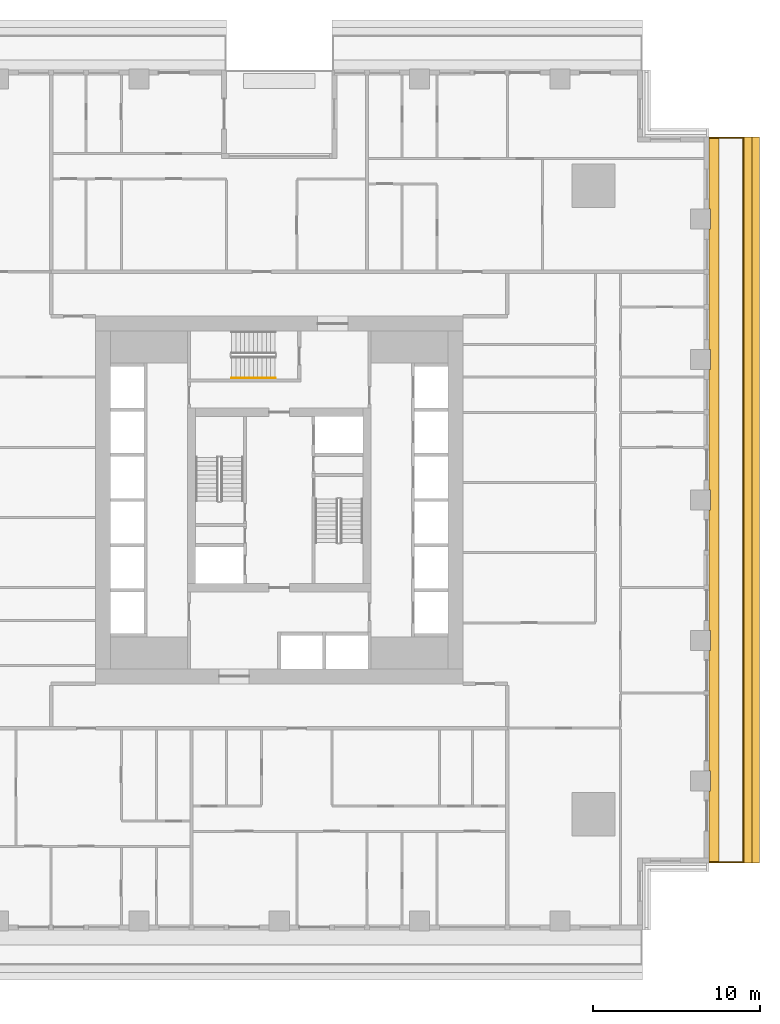
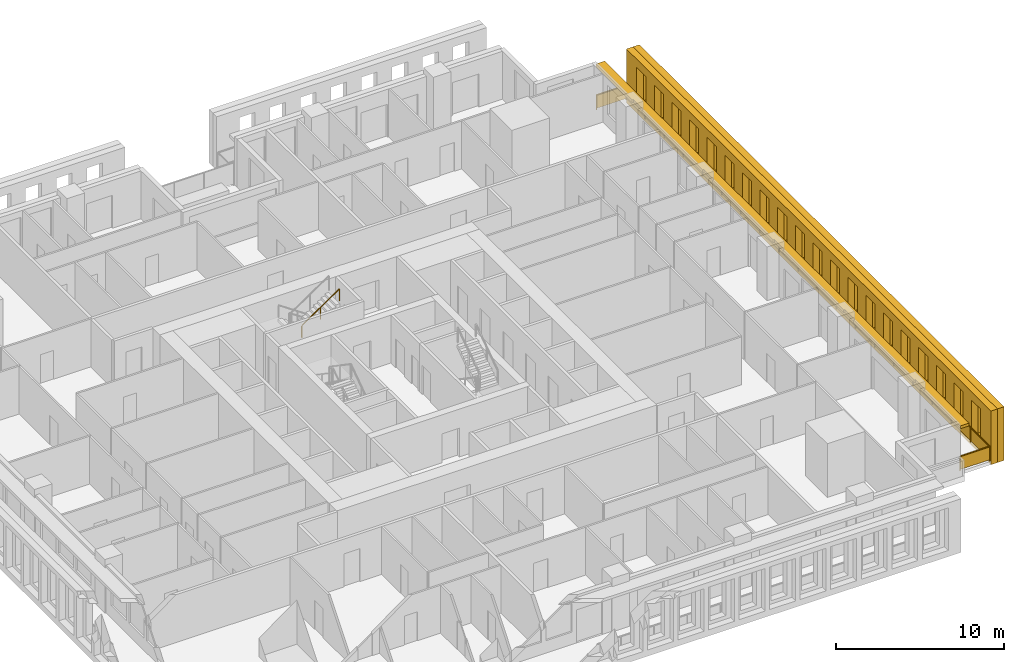
# One storey, part 14 of 16: 3 shading devices, 2 railings.
"""IFC4 building model written with IfcOpenShell, lengths in metres."""

from ifc_helpers import new_model, si_unit, direction, frame, origin, origin_2d, place, context, subcontext, project, spatial, polyline, rectangle, outline, extrude, material, layer, layer_set, type_object, element, save


model = new_model("IFC4")

# Units and contexts
model_context = context("Model", 3, precision=1e-05, world=origin(), true_north=direction((0.0, 1.0)))
body_context = subcontext(model_context, "Body", "Model", "MODEL_VIEW")
ifc_project = project(units=[si_unit("LENGTHUNIT", "METRE"), si_unit("AREAUNIT", "SQUARE_METRE"), si_unit("VOLUMEUNIT", "CUBIC_METRE"), si_unit("PLANEANGLEUNIT", "RADIAN"), si_unit("MASSUNIT", "GRAM", prefix="KILO")], contexts=[model_context])

# Site, building, storey
site_placement = place(None, origin())
site = spatial("IfcSite", under=ifc_project, at=site_placement, CompositionType="ELEMENT")
building_placement = place(site_placement, origin())
building = spatial("IfcBuilding", under=site, at=building_placement, Name="Khepri Terraces", CompositionType="ELEMENT")
storey_placement = place(building_placement, frame((0.0, 0.0, 133.800048828125)))
storey = spatial("IfcBuildingStorey", under=building, at=storey_placement, Name="L31", CompositionType="ELEMENT", Elevation=133.800048828125)

# Railings
ifc_material_1 = material(Name="Stainless steel grade 316", Category="steel")
railing_type_1 = type_object("IfcRailingType", Name="GRD-BAL-1100", PredefinedType="GUARDRAIL", material=ifc_material_1)
railing_1_placement = place(storey_placement, frame((25.719970703125, -21.669921875, 0.0)))
element("IfcRailing", 1, at=railing_1_placement, inside=storey, type_object=railing_type_1, Name="Balcony guard L31 E", PredefinedType="GUARDRAIL", context=body_context, shape_type="SweptSolid", body=[
    extrude(rectangle(XDim=0.050048828125, YDim=0.06005859375, at=origin_2d()), frame((0.0, 0.0, 1.070068359375), z_axis=(1.0, 0.0, 0.0), x_axis=(0.0, 1.0, 0.0)), (0.0, 0.0, 1.0), 2.050048828125),
    extrude(rectangle(XDim=2.0, YDim=0.011962890625, at=origin_2d()), frame((1.02490234375, 0.0, 0.10009765625), z_axis=(0.0, 0.0, 1.0), x_axis=(1.0, 0.0, 0.0)), (0.0, 0.0, 1.0), 0.93994140625),
    extrude(rectangle(XDim=0.050048828125, YDim=0.06005859375, at=origin_2d()), frame((2.050048828125, 0.0, 1.070068359375), z_axis=(0.0, 1.0, 0.0), x_axis=(-1.0, 0.0, 0.0)), (0.0, 0.0, 1.0), 43.33984375),
    extrude(rectangle(XDim=2.23095703125, YDim=0.011962890625, at=origin_2d()), frame((2.050048828125, 1.140625, 0.10009765625), z_axis=(0.0, 0.0, 1.0), x_axis=(0.0, 1.0, 0.0)), (0.0, 0.0, 1.0), 0.93994140625),
    extrude(rectangle(XDim=2.23095703125, YDim=0.011962890625, at=origin_2d()), frame((2.050048828125, 3.421630859375, 0.10009765625), z_axis=(0.0, 0.0, 1.0), x_axis=(0.0, 1.0, 0.0)), (0.0, 0.0, 1.0), 0.93994140625),
    extrude(rectangle(XDim=2.23095703125, YDim=0.011962890625, at=origin_2d()), frame((2.050048828125, 5.70263671875, 0.10009765625), z_axis=(0.0, 0.0, 1.0), x_axis=(0.0, 1.0, 0.0)), (0.0, 0.0, 1.0), 0.93994140625),
    extrude(rectangle(XDim=2.23095703125, YDim=0.011962890625, at=origin_2d()), frame((2.050048828125, 7.983642578125, 0.10009765625), z_axis=(0.0, 0.0, 1.0), x_axis=(0.0, 1.0, 0.0)), (0.0, 0.0, 1.0), 0.93994140625),
    extrude(rectangle(XDim=2.23095703125, YDim=0.011962890625, at=origin_2d()), frame((2.050048828125, 10.2646484375, 0.10009765625), z_axis=(0.0, 0.0, 1.0), x_axis=(0.0, 1.0, 0.0)), (0.0, 0.0, 1.0), 0.93994140625),
    extrude(rectangle(XDim=2.23095703125, YDim=0.011962890625, at=origin_2d()), frame((2.050048828125, 12.545654296875, 0.10009765625), z_axis=(0.0, 0.0, 1.0), x_axis=(0.0, 1.0, 0.0)), (0.0, 0.0, 1.0), 0.93994140625),
    extrude(rectangle(XDim=2.23095703125, YDim=0.011962890625, at=origin_2d()), frame((2.050048828125, 14.826904296875, 0.10009765625), z_axis=(0.0, 0.0, 1.0), x_axis=(0.0, 1.0, 0.0)), (0.0, 0.0, 1.0), 0.93994140625),
    extrude(rectangle(XDim=2.23095703125, YDim=0.011962890625, at=origin_2d()), frame((2.050048828125, 17.10791015625, 0.10009765625), z_axis=(0.0, 0.0, 1.0), x_axis=(0.0, 1.0, 0.0)), (0.0, 0.0, 1.0), 0.93994140625),
    extrude(rectangle(XDim=2.23095703125, YDim=0.011962890625, at=origin_2d()), frame((2.050048828125, 19.388916015625, 0.10009765625), z_axis=(0.0, 0.0, 1.0), x_axis=(0.0, 1.0, 0.0)), (0.0, 0.0, 1.0), 0.93994140625),
    extrude(rectangle(XDim=2.23095703125, YDim=0.011962890625, at=origin_2d()), frame((2.050048828125, 21.669921875, 0.10009765625), z_axis=(0.0, 0.0, 1.0), x_axis=(0.0, 1.0, 0.0)), (0.0, 0.0, 1.0), 0.93994140625),
    extrude(rectangle(XDim=2.23095703125, YDim=0.011962890625, at=origin_2d()), frame((2.050048828125, 23.950927734375, 0.10009765625), z_axis=(0.0, 0.0, 1.0), x_axis=(0.0, 1.0, 0.0)), (0.0, 0.0, 1.0), 0.93994140625),
    extrude(rectangle(XDim=2.23095703125, YDim=0.011962890625, at=origin_2d()), frame((2.050048828125, 26.23193359375, 0.10009765625), z_axis=(0.0, 0.0, 1.0), x_axis=(0.0, 1.0, 0.0)), (0.0, 0.0, 1.0), 0.93994140625),
    extrude(rectangle(XDim=2.23095703125, YDim=0.011962890625, at=origin_2d()), frame((2.050048828125, 28.512939453125, 0.10009765625), z_axis=(0.0, 0.0, 1.0), x_axis=(0.0, 1.0, 0.0)), (0.0, 0.0, 1.0), 0.93994140625),
    extrude(rectangle(XDim=2.23095703125, YDim=0.011962890625, at=origin_2d()), frame((2.050048828125, 30.794189453125, 0.10009765625), z_axis=(0.0, 0.0, 1.0), x_axis=(0.0, 1.0, 0.0)), (0.0, 0.0, 1.0), 0.93994140625),
    extrude(rectangle(XDim=2.23095703125, YDim=0.011962890625, at=origin_2d()), frame((2.050048828125, 33.0751953125, 0.10009765625), z_axis=(0.0, 0.0, 1.0), x_axis=(0.0, 1.0, 0.0)), (0.0, 0.0, 1.0), 0.93994140625),
    extrude(rectangle(XDim=2.23095703125, YDim=0.011962890625, at=origin_2d()), frame((2.050048828125, 35.356201171875, 0.10009765625), z_axis=(0.0, 0.0, 1.0), x_axis=(0.0, 1.0, 0.0)), (0.0, 0.0, 1.0), 0.93994140625),
    extrude(rectangle(XDim=2.23095703125, YDim=0.011962890625, at=origin_2d()), frame((2.050048828125, 37.63720703125, 0.10009765625), z_axis=(0.0, 0.0, 1.0), x_axis=(0.0, 1.0, 0.0)), (0.0, 0.0, 1.0), 0.93994140625),
    extrude(rectangle(XDim=2.23095703125, YDim=0.011962890625, at=origin_2d()), frame((2.050048828125, 39.918212890625, 0.10009765625), z_axis=(0.0, 0.0, 1.0), x_axis=(0.0, 1.0, 0.0)), (0.0, 0.0, 1.0), 0.93994140625),
    extrude(rectangle(XDim=2.23095703125, YDim=0.011962890625, at=origin_2d()), frame((2.050048828125, 42.19921875, 0.10009765625), z_axis=(0.0, 0.0, 1.0), x_axis=(0.0, 1.0, 0.0)), (0.0, 0.0, 1.0), 0.93994140625),
    extrude(rectangle(XDim=0.050048828125, YDim=0.06005859375, at=origin_2d()), frame((2.050048828125, 43.33984375, 1.070068359375), z_axis=(-1.0, 0.0, 0.0), x_axis=(0.0, -1.0, 0.0)), (0.0, 0.0, 1.0), 2.050048828125),
    extrude(rectangle(XDim=2.0, YDim=0.011962890625, at=origin_2d()), frame((1.02490234375, 43.33984375, 0.10009765625), z_axis=(0.0, 0.0, 1.0), x_axis=(-1.0, 0.0, 0.0)), (0.0, 0.0, 1.0), 0.93994140625),
    extrude(rectangle(XDim=0.050048828125, YDim=0.050048828125, at=origin_2d()), origin(), (0.0, 0.0, 1.0), 1.0400390625),
    extrude(rectangle(XDim=0.050048828125, YDim=0.050048828125, at=origin_2d()), frame((2.050048828125, 0.0, 0.0)), (0.0, 0.0, 1.0), 1.0400390625),
    extrude(rectangle(XDim=0.050048828125, YDim=0.050048828125, at=origin_2d()), frame((2.050048828125, 2.281005859375, 0.0)), (0.0, 0.0, 1.0), 1.0400390625),
    extrude(rectangle(XDim=0.050048828125, YDim=0.050048828125, at=origin_2d()), frame((2.050048828125, 4.56201171875, 0.0)), (0.0, 0.0, 1.0), 1.0400390625),
    extrude(rectangle(XDim=0.050048828125, YDim=0.050048828125, at=origin_2d()), frame((2.050048828125, 6.843017578125, 0.0)), (0.0, 0.0, 1.0), 1.0400390625),
    extrude(rectangle(XDim=0.050048828125, YDim=0.050048828125, at=origin_2d()), frame((2.050048828125, 9.124267578125, 0.0)), (0.0, 0.0, 1.0), 1.0400390625),
    extrude(rectangle(XDim=0.050048828125, YDim=0.050048828125, at=origin_2d()), frame((2.050048828125, 11.4052734375, 0.0)), (0.0, 0.0, 1.0), 1.0400390625),
    extrude(rectangle(XDim=0.050048828125, YDim=0.050048828125, at=origin_2d()), frame((2.050048828125, 13.686279296875, 0.0)), (0.0, 0.0, 1.0), 1.0400390625),
    extrude(rectangle(XDim=0.050048828125, YDim=0.050048828125, at=origin_2d()), frame((2.050048828125, 15.96728515625, 0.0)), (0.0, 0.0, 1.0), 1.0400390625),
    extrude(rectangle(XDim=0.050048828125, YDim=0.050048828125, at=origin_2d()), frame((2.050048828125, 18.248291015625, 0.0)), (0.0, 0.0, 1.0), 1.0400390625),
    extrude(rectangle(XDim=0.050048828125, YDim=0.050048828125, at=origin_2d()), frame((2.050048828125, 20.529296875, 0.0)), (0.0, 0.0, 1.0), 1.0400390625),
    extrude(rectangle(XDim=0.050048828125, YDim=0.050048828125, at=origin_2d()), frame((2.050048828125, 22.810546875, 0.0)), (0.0, 0.0, 1.0), 1.0400390625),
    extrude(rectangle(XDim=0.050048828125, YDim=0.050048828125, at=origin_2d()), frame((2.050048828125, 25.091552734375, 0.0)), (0.0, 0.0, 1.0), 1.0400390625),
    extrude(rectangle(XDim=0.050048828125, YDim=0.050048828125, at=origin_2d()), frame((2.050048828125, 27.37255859375, 0.0)), (0.0, 0.0, 1.0), 1.0400390625),
    extrude(rectangle(XDim=0.050048828125, YDim=0.050048828125, at=origin_2d()), frame((2.050048828125, 29.653564453125, 0.0)), (0.0, 0.0, 1.0), 1.0400390625),
    extrude(rectangle(XDim=0.050048828125, YDim=0.050048828125, at=origin_2d()), frame((2.050048828125, 31.9345703125, 0.0)), (0.0, 0.0, 1.0), 1.0400390625),
    extrude(rectangle(XDim=0.050048828125, YDim=0.050048828125, at=origin_2d()), frame((2.050048828125, 34.215576171875, 0.0)), (0.0, 0.0, 1.0), 1.0400390625),
    extrude(rectangle(XDim=0.050048828125, YDim=0.050048828125, at=origin_2d()), frame((2.050048828125, 36.496826171875, 0.0)), (0.0, 0.0, 1.0), 1.0400390625),
    extrude(rectangle(XDim=0.050048828125, YDim=0.050048828125, at=origin_2d()), frame((2.050048828125, 38.77783203125, 0.0)), (0.0, 0.0, 1.0), 1.0400390625),
    extrude(rectangle(XDim=0.050048828125, YDim=0.050048828125, at=origin_2d()), frame((2.050048828125, 41.058837890625, 0.0)), (0.0, 0.0, 1.0), 1.0400390625),
    extrude(rectangle(XDim=0.050048828125, YDim=0.050048828125, at=origin_2d()), frame((2.050048828125, 43.33984375, 0.0)), (0.0, 0.0, 1.0), 1.0400390625),
    extrude(rectangle(XDim=0.050048828125, YDim=0.050048828125, at=origin_2d()), frame((0.0, 43.33984375, 0.0)), (0.0, 0.0, 1.0), 1.0400390625),
])
ifc_material_2 = material(Name="Stainless steel 316", Category="steel")
railing_type_2 = type_object("IfcRailingType", Name="RL-CORE-HANDRAIL", PredefinedType="HANDRAIL", material=ifc_material_2)
railing_2_placement = place(storey_placement, frame((-2.85009765625, 7.300048828125, 2.127197265625)))
element("IfcRailing", 2, at=railing_2_placement, inside=storey, type_object=railing_type_2, Name="L31 ST-3 stair handrail 2", PredefinedType="HANDRAIL", context=body_context, shape_type="SweptSolid", body=[
    extrude(rectangle(XDim=0.050048828125, YDim=0.050048828125, at=origin_2d()), frame((0.0, 0.0, 0.875), z_axis=(0.826240473404, 0.0, 0.563317565952), x_axis=(0.0, 1.0, 0.0)), (0.0, 0.0, 1.0), 3.14697265625),
    extrude(rectangle(XDim=0.050048828125, YDim=0.050048828125, at=origin_2d()), origin(), (0.0, 0.0, 1.0), 0.849853515625),
    extrude(rectangle(XDim=0.050048828125, YDim=0.050048828125, at=origin_2d()), frame((1.300048828125, 0.0, 0.88623046875)), (0.0, 0.0, 1.0), 0.849853515625),
    extrude(rectangle(XDim=0.050048828125, YDim=0.050048828125, at=origin_2d()), frame((2.60009765625, 0.0, 1.772705078125)), (0.0, 0.0, 1.0), 0.849853515625),
])

# Shading devices
ifc_material_3 = material(Name="Precast concrete C50/60 warm stone", Category="masonry")
shading_device_type_1 = type_object("IfcShadingDeviceType", Name="SCR-CELL-INNER-450", PredefinedType="USERDEFINED", material=ifc_material_3)
shading_device_1_placement = place(storey_placement, frame((27.820068359375, -21.719970703125, -0.25), z_axis=(1.0, 0.0, 0.0), x_axis=(0.0, 1.0, 0.0)))
element("IfcShadingDevice", 3, at=shading_device_1_placement, inside=storey, type_object=shading_device_type_1, Name="Cell screen L31 E in", ObjectType="SCREEN", PredefinedType="USERDEFINED", context=body_context, shape_type="SweptSolid", body=[
    extrude(outline(polyline([(0.0, 0.0), (43.43994140625, 0.0), (43.43994140625, 3.89990234375), (0.0, 3.89990234375), (0.0, 0.0)]), holes=[polyline([(1.2265625, 0.699951171875), (2.3134765625, 0.699951171875), (2.3134765625, 3.300048828125), (1.2265625, 3.300048828125), (1.2265625, 0.699951171875)]), polyline([(3.32666015625, 0.699951171875), (4.413330078125, 0.699951171875), (4.413330078125, 3.300048828125), (3.32666015625, 3.300048828125), (3.32666015625, 0.699951171875)]), polyline([(5.426513671875, 0.699951171875), (6.513427734375, 0.699951171875), (6.513427734375, 3.300048828125), (5.426513671875, 3.300048828125), (5.426513671875, 0.699951171875)]), polyline([(7.526611328125, 0.699951171875), (8.61328125, 0.699951171875), (8.61328125, 3.300048828125), (7.526611328125, 3.300048828125), (7.526611328125, 0.699951171875)]), polyline([(9.626708984375, 0.699951171875), (10.71337890625, 0.699951171875), (10.71337890625, 3.300048828125), (9.626708984375, 3.300048828125), (9.626708984375, 0.699951171875)]), polyline([(11.7265625, 0.699951171875), (12.8134765625, 0.699951171875), (12.8134765625, 3.300048828125), (11.7265625, 3.300048828125), (11.7265625, 0.699951171875)]), polyline([(13.82666015625, 0.699951171875), (14.913330078125, 0.699951171875), (14.913330078125, 3.300048828125), (13.82666015625, 3.300048828125), (13.82666015625, 0.699951171875)]), polyline([(15.926513671875, 0.699951171875), (17.013427734375, 0.699951171875), (17.013427734375, 3.300048828125), (15.926513671875, 3.300048828125), (15.926513671875, 0.699951171875)]), polyline([(18.026611328125, 0.699951171875), (19.11328125, 0.699951171875), (19.11328125, 3.300048828125), (18.026611328125, 3.300048828125), (18.026611328125, 0.699951171875)]), polyline([(20.126708984375, 0.699951171875), (21.21337890625, 0.699951171875), (21.21337890625, 3.300048828125), (20.126708984375, 3.300048828125), (20.126708984375, 0.699951171875)]), polyline([(22.2265625, 0.699951171875), (23.3134765625, 0.699951171875), (23.3134765625, 3.300048828125), (22.2265625, 3.300048828125), (22.2265625, 0.699951171875)]), polyline([(24.32666015625, 0.699951171875), (25.413330078125, 0.699951171875), (25.413330078125, 3.300048828125), (24.32666015625, 3.300048828125), (24.32666015625, 0.699951171875)]), polyline([(26.426513671875, 0.699951171875), (27.513427734375, 0.699951171875), (27.513427734375, 3.300048828125), (26.426513671875, 3.300048828125), (26.426513671875, 0.699951171875)]), polyline([(28.526611328125, 0.699951171875), (29.61328125, 0.699951171875), (29.61328125, 3.300048828125), (28.526611328125, 3.300048828125), (28.526611328125, 0.699951171875)]), polyline([(30.626708984375, 0.699951171875), (31.71337890625, 0.699951171875), (31.71337890625, 3.300048828125), (30.626708984375, 3.300048828125), (30.626708984375, 0.699951171875)]), polyline([(32.7265625, 0.699951171875), (33.8134765625, 0.699951171875), (33.8134765625, 3.300048828125), (32.7265625, 3.300048828125), (32.7265625, 0.699951171875)]), polyline([(34.82666015625, 0.699951171875), (35.913330078125, 0.699951171875), (35.913330078125, 3.300048828125), (34.82666015625, 3.300048828125), (34.82666015625, 0.699951171875)]), polyline([(36.926513671875, 0.699951171875), (38.013427734375, 0.699951171875), (38.013427734375, 3.300048828125), (36.926513671875, 3.300048828125), (36.926513671875, 0.699951171875)]), polyline([(39.026611328125, 0.699951171875), (40.11328125, 0.699951171875), (40.11328125, 3.300048828125), (39.026611328125, 3.300048828125), (39.026611328125, 0.699951171875)]), polyline([(41.126708984375, 0.699951171875), (42.21337890625, 0.699951171875), (42.21337890625, 3.300048828125), (41.126708984375, 3.300048828125), (41.126708984375, 0.699951171875)])]), origin(), (0.0, 0.0, 1.0), 0.449951171875),
])
shading_device_type_2 = type_object("IfcShadingDeviceType", Name="SCR-CELL-OUTER-450", PredefinedType="USERDEFINED", material=ifc_material_3)
shading_device_2_placement = place(storey_placement, frame((28.27001953125, -21.719970703125, -0.25), z_axis=(1.0, 0.0, 0.0), x_axis=(0.0, 1.0, 0.0)))
element("IfcShadingDevice", 4, at=shading_device_2_placement, inside=storey, type_object=shading_device_type_2, Name="Cell screen L31 E out", ObjectType="SCREEN", PredefinedType="USERDEFINED", context=body_context, shape_type="SweptSolid", body=[
    extrude(outline(polyline([(0.0, 0.0), (43.43994140625, 0.0), (43.43994140625, 3.89990234375), (0.0, 3.89990234375), (0.0, 0.0)]), holes=[polyline([(0.876708984375, 0.449951171875), (2.663330078125, 0.449951171875), (2.663330078125, 3.550048828125), (0.876708984375, 3.550048828125), (0.876708984375, 0.449951171875)]), polyline([(2.9765625, 0.449951171875), (4.763427734375, 0.449951171875), (4.763427734375, 3.550048828125), (2.9765625, 3.550048828125), (2.9765625, 0.449951171875)]), polyline([(5.07666015625, 0.449951171875), (6.86328125, 0.449951171875), (6.86328125, 3.550048828125), (5.07666015625, 3.550048828125), (5.07666015625, 0.449951171875)]), polyline([(7.176513671875, 0.449951171875), (8.96337890625, 0.449951171875), (8.96337890625, 3.550048828125), (7.176513671875, 3.550048828125), (7.176513671875, 0.449951171875)]), polyline([(9.276611328125, 0.449951171875), (11.0634765625, 0.449951171875), (11.0634765625, 3.550048828125), (9.276611328125, 3.550048828125), (9.276611328125, 0.449951171875)]), polyline([(11.376708984375, 0.449951171875), (13.163330078125, 0.449951171875), (13.163330078125, 3.550048828125), (11.376708984375, 3.550048828125), (11.376708984375, 0.449951171875)]), polyline([(13.4765625, 0.449951171875), (15.263427734375, 0.449951171875), (15.263427734375, 3.550048828125), (13.4765625, 3.550048828125), (13.4765625, 0.449951171875)]), polyline([(15.57666015625, 0.449951171875), (17.36328125, 0.449951171875), (17.36328125, 3.550048828125), (15.57666015625, 3.550048828125), (15.57666015625, 0.449951171875)]), polyline([(17.676513671875, 0.449951171875), (19.46337890625, 0.449951171875), (19.46337890625, 3.550048828125), (17.676513671875, 3.550048828125), (17.676513671875, 0.449951171875)]), polyline([(19.776611328125, 0.449951171875), (21.5634765625, 0.449951171875), (21.5634765625, 3.550048828125), (19.776611328125, 3.550048828125), (19.776611328125, 0.449951171875)]), polyline([(21.876708984375, 0.449951171875), (23.663330078125, 0.449951171875), (23.663330078125, 3.550048828125), (21.876708984375, 3.550048828125), (21.876708984375, 0.449951171875)]), polyline([(23.9765625, 0.449951171875), (25.763427734375, 0.449951171875), (25.763427734375, 3.550048828125), (23.9765625, 3.550048828125), (23.9765625, 0.449951171875)]), polyline([(26.07666015625, 0.449951171875), (27.86328125, 0.449951171875), (27.86328125, 3.550048828125), (26.07666015625, 3.550048828125), (26.07666015625, 0.449951171875)]), polyline([(28.176513671875, 0.449951171875), (29.96337890625, 0.449951171875), (29.96337890625, 3.550048828125), (28.176513671875, 3.550048828125), (28.176513671875, 0.449951171875)]), polyline([(30.276611328125, 0.449951171875), (32.0634765625, 0.449951171875), (32.0634765625, 3.550048828125), (30.276611328125, 3.550048828125), (30.276611328125, 0.449951171875)]), polyline([(32.376708984375, 0.449951171875), (34.163330078125, 0.449951171875), (34.163330078125, 3.550048828125), (32.376708984375, 3.550048828125), (32.376708984375, 0.449951171875)]), polyline([(34.4765625, 0.449951171875), (36.263427734375, 0.449951171875), (36.263427734375, 3.550048828125), (34.4765625, 3.550048828125), (34.4765625, 0.449951171875)]), polyline([(36.57666015625, 0.449951171875), (38.36328125, 0.449951171875), (38.36328125, 3.550048828125), (36.57666015625, 3.550048828125), (36.57666015625, 0.449951171875)]), polyline([(38.676513671875, 0.449951171875), (40.46337890625, 0.449951171875), (40.46337890625, 3.550048828125), (38.676513671875, 3.550048828125), (38.676513671875, 0.449951171875)]), polyline([(40.776611328125, 0.449951171875), (42.5634765625, 0.449951171875), (42.5634765625, 3.550048828125), (40.776611328125, 3.550048828125), (40.776611328125, 0.449951171875)])]), origin(), (0.0, 0.0, 1.0), 0.449951171875),
])
ifc_layer = layer(ifc_material_3, 0.199951171875, Name="Precast concrete C50/60 warm stone", Category="masonry")
ifc_layer_set = layer_set([ifc_layer], Name="Precast concrete C50/60 warm stone")
shading_device_type_3 = type_object("IfcShadingDeviceType", Name="SSH-BAND-STONE-200-N", PredefinedType="USERDEFINED", material=ifc_layer_set)
shading_device_3_placement = place(storey_placement, frame((0.0, 0.0, 3.099853515625)))
element("IfcShadingDevice", 5, at=shading_device_3_placement, inside=storey, type_object=shading_device_type_3, Name="Sunshade band L31 E", ObjectType="SUNSHADE", PredefinedType="USERDEFINED", context=body_context, shape_type="SweptSolid", body=[
    extrude(outline(polyline([(25.719970703125, -17.39990234375), (25.719970703125, -21.719970703125), (26.320068359375, -21.719970703125), (26.320068359375, 21.719970703125), (25.719970703125, 21.719970703125), (25.719970703125, 17.39990234375), (25.800048828125, 17.39990234375), (25.800048828125, 16.199951171875), (25.719970703125, 16.199951171875), (25.719970703125, 9.0), (25.800048828125, 9.0), (25.800048828125, 7.800048828125), (25.719970703125, 7.800048828125), (25.719970703125, 0.60009765625), (25.800048828125, 0.60009765625), (25.800048828125, -0.60009765625), (25.719970703125, -0.60009765625), (25.719970703125, -7.800048828125), (25.800048828125, -7.800048828125), (25.800048828125, -9.0), (25.719970703125, -9.0), (25.719970703125, -16.199951171875), (25.800048828125, -16.199951171875), (25.800048828125, -17.39990234375), (25.719970703125, -17.39990234375)])), origin(), (0.0, 0.0, 1.0), 0.2001953125),
])

save(model, "model.ifc")
